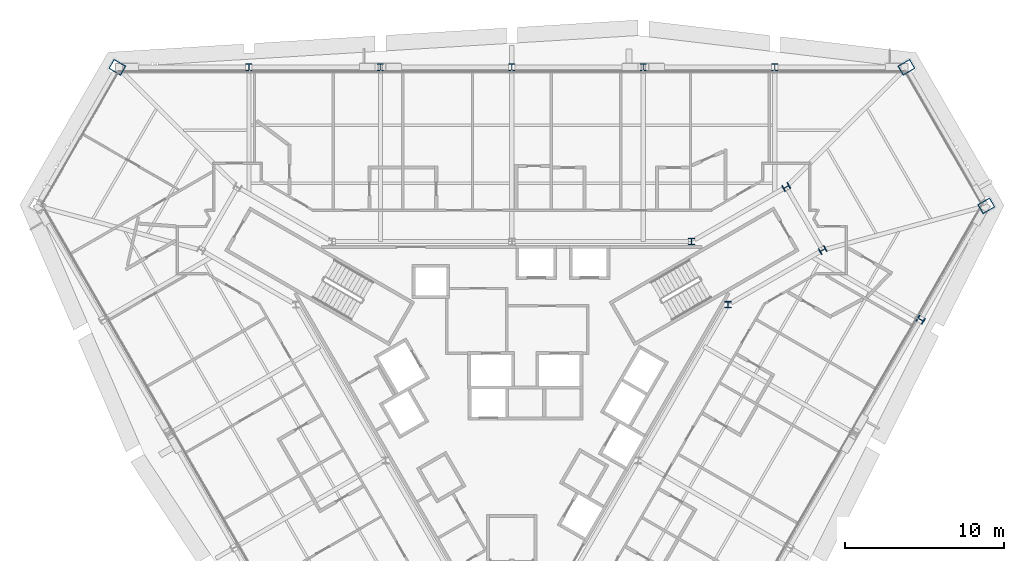
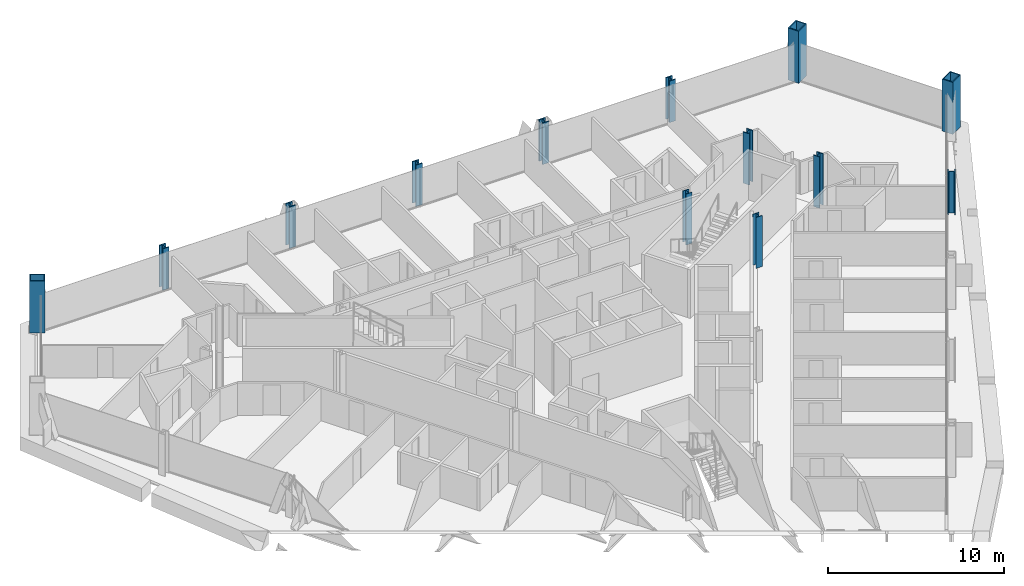
# One storey, part 2 of 17: 13 columns.
"""IFC4 building model written with IfcOpenShell, lengths in metres."""

import ifcopenshell
import ifcopenshell.guid

model = None  # the IFC model being written
_history = None  # IfcOwnerHistory: only IFC2X3 demands one
_inside = {}  # id of a spatial element -> (the spatial element, [elements in it])
_under = {}  # id of a project, library or spatial element -> (it, [spatial elements below it])
_declared = {}  # id of a project -> (the project, [libraries it declares])
_typed = {}  # id of a type object -> (the type object, [elements of that type])
_made_of = {}  # id of a material, layer set ... -> (it, [elements and type objects made of it])


def new_model(schema):
    """Start an empty IFC model of exactly this schema.

    Asked for "IFC4X3", IfcOpenShell would pick the latest addendum, in which some entities
    have other attributes; the version numbers below select the first issue.
    IFC2X3 requires an IfcOwnerHistory on every rooted entity: one is made here for all.
    """
    global model, _history
    if schema == "IFC4X3":
        model = ifcopenshell.file(schema_version=(4, 3, 0, 0))
    else:
        model = ifcopenshell.file(schema=schema)
    _inside.clear()
    _under.clear()
    _declared.clear()
    _typed.clear()
    _made_of.clear()
    _history = None
    if model.schema == "IFC2X3":
        org = make("IfcOrganization", Name="unknown")
        user = make(
            "IfcPersonAndOrganization",
            ThePerson=make("IfcPerson", FamilyName="unknown"),
            TheOrganization=org,
        )
        app = make(
            "IfcApplication",
            ApplicationDeveloper=org,
            Version="unknown",
            ApplicationFullName="unknown",
            ApplicationIdentifier="unknown",
        )
        _history = make(
            "IfcOwnerHistory",
            OwningUser=user,
            OwningApplication=app,
            ChangeAction="ADDED",
            CreationDate=0,
        )
    return model


def make(cls, **values):
    """One entity of the class cls with the attributes given. An attribute that is None is left unset."""
    return model.create_entity(
        cls, **{name: value for name, value in values.items() if value is not None}
    )


def rooted(cls, **values):
    """An entity with a GlobalId (a new one), such as an element, a storey or a relation."""
    return make(cls, GlobalId=ifcopenshell.guid.new(), OwnerHistory=_history, **values)


def si_unit(unit_type, name, prefix=None):
    """IfcSIUnit, for example si_unit("LENGTHUNIT", "METRE", prefix="MILLI")."""
    return make("IfcSIUnit", UnitType=unit_type, Prefix=prefix, Name=name)


def assignment(units):
    """IfcUnitAssignment: the units of a project."""
    return None if units is None else make("IfcUnitAssignment", Units=units)


def point(xyz):
    """IfcCartesianPoint."""
    return None if xyz is None else make("IfcCartesianPoint", Coordinates=xyz)


def direction(xyz):
    """IfcDirection."""
    return None if xyz is None else make("IfcDirection", DirectionRatios=xyz)


def frame(location, z_axis=None, x_axis=None):
    """IfcAxis2Placement3D, a coordinate frame: its origin and axes. An axis left out is left unset."""
    return make(
        "IfcAxis2Placement3D",
        Location=point(location),
        Axis=direction(z_axis),
        RefDirection=direction(x_axis),
    )


def frame_2d(location, x_axis=None):
    """IfcAxis2Placement2D, a coordinate frame in the plane: its origin and x axis."""
    return make(
        "IfcAxis2Placement2D", Location=point(location), RefDirection=direction(x_axis)
    )


def origin():
    """The frame at (0, 0, 0) with its axes left unset."""
    return frame((0.0, 0.0, 0.0))


def origin_2d():
    """The frame at (0, 0) in the plane with its x axis left unset."""
    return frame_2d((0.0, 0.0))


def place(relative_to, where):
    """IfcLocalPlacement: puts the frame where relative to a parent placement (None: the world)."""
    return make(
        "IfcLocalPlacement", PlacementRelTo=relative_to, RelativePlacement=where
    )


def context(
    kind, dimensions, precision=None, world=None, true_north=None, identifier=None
):
    """IfcGeometricRepresentationContext, for example the 3D "Model" context."""
    return make(
        "IfcGeometricRepresentationContext",
        ContextIdentifier=identifier,
        ContextType=kind,
        CoordinateSpaceDimension=dimensions,
        Precision=precision,
        WorldCoordinateSystem=world,
        TrueNorth=true_north,
    )


def subcontext(parent, identifier, kind, view, scale=None):
    """IfcGeometricRepresentationSubContext, for example "Body" below "Model"."""
    return make(
        "IfcGeometricRepresentationSubContext",
        ContextIdentifier=identifier,
        ContextType=kind,
        ParentContext=parent,
        TargetScale=scale,
        TargetView=view,
    )


def project(units=None, contexts=None):
    """IfcProject with its units and contexts."""
    return rooted(
        "IfcProject",
        Name="project",
        RepresentationContexts=contexts,
        UnitsInContext=assignment(units),
    )


def spatial(cls, under=None, at=None, **own):
    """A site, building, storey or space (cls), placed at a placement, below another one or the project."""
    s = rooted(cls, ObjectPlacement=at, **own)
    if under is not None:
        _under.setdefault(under.id(), (under, []))[1].append(s)
    return s


def profile(cls, at=None, kind="AREA", **sizes):
    """A parametric profile (cls). Its sizes go by their IFC names, for example OverallWidth=200.0."""
    return make(cls, ProfileType=kind, Position=at, **sizes)


def hollow_rectangle(**sizes):
    """IfcRectangleHollowProfileDef."""
    return profile("IfcRectangleHollowProfileDef", **sizes)


def i_section(**sizes):
    """IfcIShapeProfileDef."""
    return profile("IfcIShapeProfileDef", **sizes)


def extrude(swept, where, along, depth):
    """IfcExtrudedAreaSolid: the profile swept, set in the frame where, extruded along a direction by depth."""
    return make(
        "IfcExtrudedAreaSolid",
        SweptArea=swept,
        Position=where,
        ExtrudedDirection=direction(along),
        Depth=depth,
    )


def shape(context_of_items, identifier, shape_type, items):
    """IfcShapeRepresentation: the items that make up one representation, for example the "Body"."""
    return make(
        "IfcShapeRepresentation",
        ContextOfItems=context_of_items,
        RepresentationIdentifier=identifier,
        RepresentationType=shape_type,
        Items=items,
    )


def material(Name=None, Category=None):
    """IfcMaterial."""
    return make("IfcMaterial", Name=Name, Category=Category)


def material_profile(
    of_material, cross_section, Name=None, Category=None, Priority=None
):
    """IfcMaterialProfile: a cross section and its material."""
    return make(
        "IfcMaterialProfile",
        Name=Name,
        Material=of_material,
        Profile=cross_section,
        Priority=Priority,
        Category=Category,
    )


def profile_set(profiles, Name=None, composite=None):
    """IfcMaterialProfileSet."""
    return make(
        "IfcMaterialProfileSet",
        Name=Name,
        MaterialProfiles=profiles,
        CompositeProfile=composite,
    )


def made_of(thing, what):
    """Note that an element or type object is made of a material, layer set ...; save() writes the relation."""
    if what is not None:
        _made_of.setdefault(what.id(), (what, []))[1].append(thing)
    return thing


def type_object(cls, material=None, **own):
    """A type object (cls), such as IfcWallType, which elements share."""
    return made_of(rooted(cls, **own), material)


def element(
    cls,
    number,
    at=None,
    inside=None,
    cuts=None,
    type_object=None,
    material=None,
    context=None,
    identifier="Body",
    shape_type=None,
    held_by="IfcProductDefinitionShape",
    body=None,
    shapes=None,
    **own,
):
    """One element of the class cls, such as IfcWall. Its Tag is "e" and its number.

    at: its placement. inside: the storey or other place that contains it. cuts: it is an
    opening in that element (IfcRelVoidsElement). A single representation is given by context,
    identifier, shape_type and body (its items); several are given by shapes. held_by: the class
    of the entity that holds the representations. save() writes the other relations.
    """
    e = rooted(cls, Tag="e%d" % number, ObjectPlacement=at, **own)
    if body is not None:
        shapes = [shape(context, identifier, shape_type, body)]
    if shapes is not None:
        e.Representation = make(held_by, Representations=shapes)
    if inside is not None:
        _inside.setdefault(inside.id(), (inside, []))[1].append(e)
    if cuts is not None:
        rooted(
            "IfcRelVoidsElement", RelatingBuildingElement=cuts, RelatedOpeningElement=e
        )
    if type_object is not None:
        _typed.setdefault(type_object.id(), (type_object, []))[1].append(e)
    return made_of(e, material)


def aggregate(whole, parts):
    """IfcRelAggregates: a whole, such as a stair, and the parts it consists of."""
    return rooted("IfcRelAggregates", RelatingObject=whole, RelatedObjects=parts)


def save(model, path):
    """Write the relations noted so far, then the file.

    IfcRelAggregates (storeys below a building ...), IfcRelContainedInSpatialStructure (elements
    in a storey), IfcRelDefinesByType, IfcRelAssociatesMaterial and IfcRelDeclares: one each for
    every whole, place, type object, material and project.
    """
    for whole, parts in _under.values():
        aggregate(whole, parts)
    for where, things in _inside.values():
        rooted(
            "IfcRelContainedInSpatialStructure",
            RelatedElements=things,
            RelatingStructure=where,
        )
    for kind, things in _typed.values():
        rooted("IfcRelDefinesByType", RelatedObjects=things, RelatingType=kind)
    for what, things in _made_of.values():
        rooted("IfcRelAssociatesMaterial", RelatedObjects=things, RelatingMaterial=what)
    for by, libraries in _declared.values():
        rooted("IfcRelDeclares", RelatingContext=by, RelatedDefinitions=libraries)
    model.write(path)


model = new_model("IFC4")

# Units and contexts
model_context = context("Model", 3, precision=1e-05, world=origin(), true_north=direction((0.0, 1.0)))
body_context = subcontext(model_context, "Body", "Model", "MODEL_VIEW")
ifc_project = project(units=[si_unit("LENGTHUNIT", "METRE"), si_unit("AREAUNIT", "SQUARE_METRE"), si_unit("VOLUMEUNIT", "CUBIC_METRE"), si_unit("PLANEANGLEUNIT", "RADIAN"), si_unit("MASSUNIT", "GRAM", prefix="KILO")], contexts=[model_context])

# Site, building, storey
site_placement = place(None, origin())
site = spatial("IfcSite", under=ifc_project, at=site_placement, CompositionType="ELEMENT")
building_placement = place(site_placement, origin())
building = spatial("IfcBuilding", under=site, at=building_placement, Name="Verrane Prism Tower", CompositionType="ELEMENT")
storey_placement = place(building_placement, frame((0.0, 0.0, 139.60009765625)))
storey = spatial("IfcBuildingStorey", under=building, at=storey_placement, Name="L34", CompositionType="ELEMENT", Elevation=139.60009765625)

# Columns
ifc_material_1 = material(Name="Steel A992", Category="steel")
ifc_material_profile_1 = material_profile(ifc_material_1, i_section(OverallWidth=0.411376953125, OverallDepth=0.434326171875, WebThickness=0.035888671875, FlangeThickness=0.057373046875, FilletRadius=0.01513671875, at=origin_2d()), Name="W14x311")
ifc_profile_set_1 = profile_set([ifc_material_profile_1], Name="Steel A992")
column_type_1 = type_object("IfcColumnType", Name="Core corner column W14x311", PredefinedType="COLUMN", material=ifc_profile_set_1)
for number, where, z_axis, x_axis, name in (
    (1, (19.60009765625, 8.659912109375, 0.0), (0.0, 0.0, 1.0), (0.5, -0.866025403784, 0.0), "Core corner column CK-NEm L34"),
    (2, (17.300048828125, 12.639892578125, 0.0), (0.0, 0.0, 1.0), (0.5, -0.866025403784, 0.0), "Core corner column CK-NEp L34"),
):
    element("IfcColumn", number, at=place(storey_placement, frame(where, z_axis=z_axis, x_axis=x_axis)), inside=storey, type_object=column_type_1, Name=name, PredefinedType="COLUMN", context=body_context, shape_type="SweptSolid", body=[
        extrude(i_section(OverallWidth=0.411376953125, OverallDepth=0.434326171875, WebThickness=0.035888671875, FlangeThickness=0.057373046875, FilletRadius=0.01513671875, at=origin_2d()), origin(), (0.0, 0.0, 1.0), 3.544921875),
    ])
ifc_material_2 = material(Name="Steel A992", Category="steel")
ifc_material_profile_2 = material_profile(ifc_material_2, i_section(OverallWidth=0.4013671875, OverallDepth=0.398681640625, WebThickness=0.02490234375, FlangeThickness=0.03955078125, FilletRadius=0.01513671875, at=origin_2d()), Name="W14x211")
ifc_profile_set_2 = profile_set([ifc_material_profile_2], Name="Steel A992")
column_type_2 = type_object("IfcColumnType", Name="Core side column W14x211", PredefinedType="COLUMN", material=ifc_profile_set_2)
for number, where, z_axis, x_axis, name in (
    (3, (13.6298828125, 5.219970703125, 0.0), (0.0, 0.0, 1.0), (1.0, 0.0, 0.0), "Core side column CC-NEm L34"),
    (4, (11.330078125, 9.199951171875, 0.0), (0.0, 0.0, 1.0), (1.0, 0.0, 0.0), "Core side column CC-NEp L34"),
):
    element("IfcColumn", number, at=place(storey_placement, frame(where, z_axis=z_axis, x_axis=x_axis)), inside=storey, type_object=column_type_2, Name=name, PredefinedType="COLUMN", context=body_context, shape_type="SweptSolid", body=[
        extrude(i_section(OverallWidth=0.4013671875, OverallDepth=0.398681640625, WebThickness=0.02490234375, FlangeThickness=0.03955078125, FilletRadius=0.01513671875, at=origin_2d()), origin(), (0.0, 0.0, 1.0), 3.534912109375),
    ])
ifc_material_3 = material(Name="Steel A572 Grade 50", Category="steel")
ifc_material_profile_3 = material_profile(ifc_material_3, hollow_rectangle(XDim=0.699951171875, YDim=0.89990234375, WallThickness=0.06494140625, at=origin_2d()), Name="BOX 900x700x65")
ifc_profile_set_3 = profile_set([ifc_material_profile_3], Name="Steel A572 Grade 50")
column_type_3 = type_object("IfcColumnType", Name="Megacolumn BOX 900x700x65", PredefinedType="COLUMN", material=ifc_profile_set_3)
for number, where, z_axis, x_axis, name in (
    (5, (24.8798828125, 20.18994140625, 0.0), (0.0, 0.0, 1.0), (0.5, -0.866025403784, 0.0), "Megacolumn MC-NE.b L34"),
    (6, (-24.8798828125, 20.18994140625, 0.0), (0.0, 0.0, 1.0), (0.5, 0.866025403784, 0.0), "Megacolumn MC-NW.a L34"),
    (7, (29.919921875, 11.449951171875, 0.0), (0.0, 0.0, 1.0), (0.5, -0.866025403784, 0.0), "Megacolumn MC-NE.a L34"),
):
    element("IfcColumn", number, at=place(storey_placement, frame(where, z_axis=z_axis, x_axis=x_axis)), inside=storey, type_object=column_type_3, Name=name, PredefinedType="COLUMN", context=body_context, shape_type="SweptSolid", body=[
        extrude(hollow_rectangle(XDim=0.699951171875, YDim=0.89990234375, WallThickness=0.06494140625, at=origin_2d()), origin(), (0.0, 0.0, 1.0), 3.599853515625),
    ])
ifc_material_4 = material(Name="Steel A992", Category="steel")
ifc_material_profile_4 = material_profile(ifc_material_4, i_section(OverallWidth=0.419189453125, OverallDepth=0.45458984375, WebThickness=0.042236328125, FlangeThickness=0.067626953125, FilletRadius=0.01513671875, at=origin_2d()), Name="W14x370")
ifc_profile_set_4 = profile_set([ifc_material_profile_4], Name="Steel A992")
column_type_4 = type_object("IfcColumnType", Name="Perimeter column W14x370", PredefinedType="COLUMN", material=ifc_profile_set_4)
for number, where, z_axis, x_axis, name in (
    (8, (16.580078125, 20.18994140625, 0.0), (0.0, 0.0, 1.0), (1.0, 0.0, 0.0), "Perimeter column PC-N1 L34"),
    (9, (8.2900390625, 20.18994140625, 0.0), (0.0, 0.0, 1.0), (1.0, 0.0, 0.0), "Perimeter column PC-N2 L34"),
    (10, (0.0, 20.18994140625, 0.0), (0.0, 0.0, 1.0), (1.0, 0.0, 0.0), "Perimeter column PC-N3 L34"),
    (11, (-8.2900390625, 20.18994140625, 0.0), (0.0, 0.0, 1.0), (1.0, 0.0, 0.0), "Perimeter column PC-N4 L34"),
    (12, (-16.580078125, 20.18994140625, 0.0), (0.0, 0.0, 1.0), (1.0, 0.0, 0.0), "Perimeter column PC-N5 L34"),
    (13, (25.780029296875, 4.27001953125, 0.0), (0.0, 0.0, 1.0), (-0.5, -0.866025403784, 0.0), "Perimeter column PC-SE5 L34"),
):
    element("IfcColumn", number, at=place(storey_placement, frame(where, z_axis=z_axis, x_axis=x_axis)), inside=storey, type_object=column_type_4, Name=name, PredefinedType="COLUMN", context=body_context, shape_type="SweptSolid", body=[
        extrude(i_section(OverallWidth=0.419189453125, OverallDepth=0.45458984375, WebThickness=0.042236328125, FlangeThickness=0.067626953125, FilletRadius=0.01513671875, at=origin_2d()), origin(), (0.0, 0.0, 1.0), 2.869873046875),
    ])

save(model, "model.ifc")
